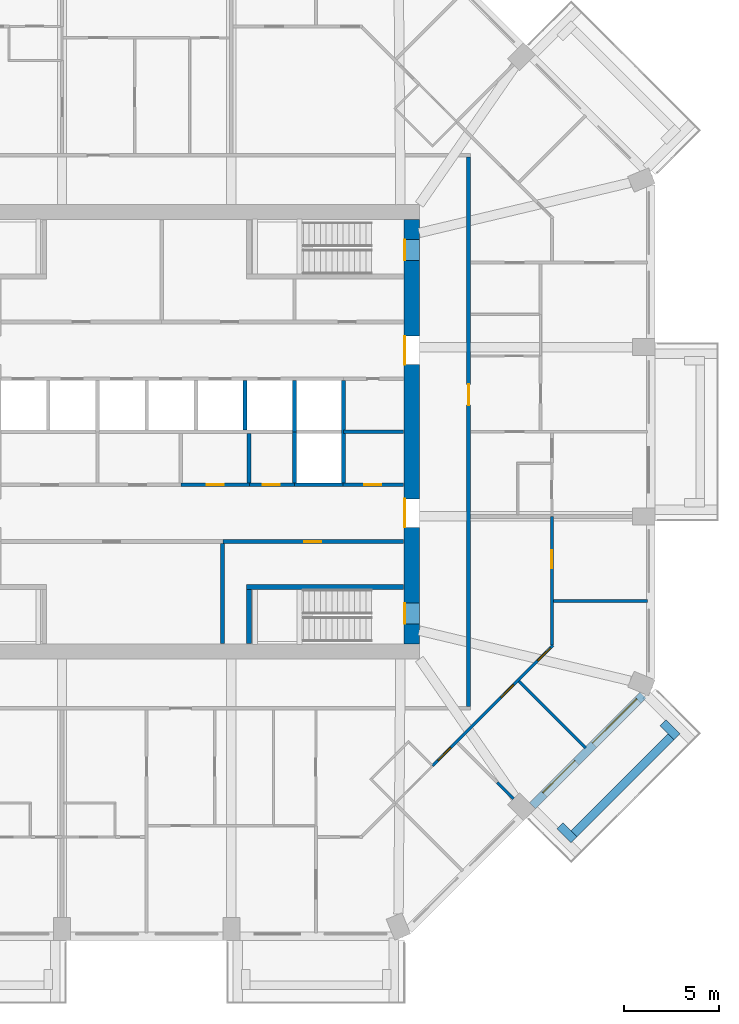
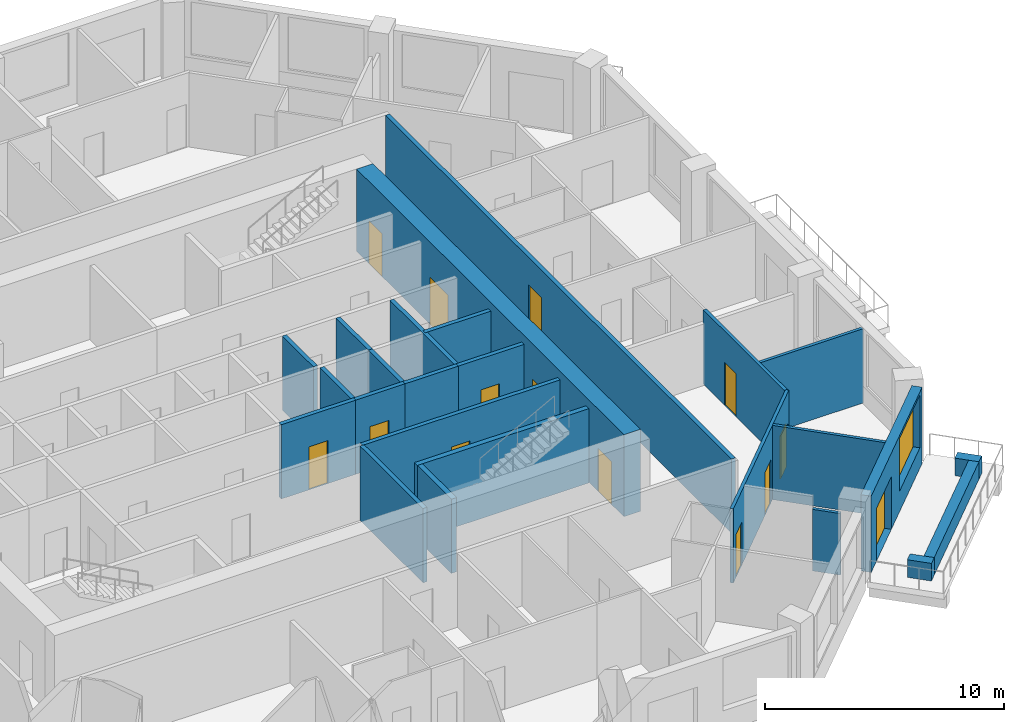
# One storey, part 6 of 13: 25 walls, 14 doors, 1 window, 15 openings.
"""IFC4 building model written with IfcOpenShell, lengths in metres."""

from ifc_helpers import new_model, si_unit, direction, frame, frame_2d, origin, place, context, subcontext, project, spatial, rectangle, extrude, material, layer, layer_set, type_object, element, fill, save


model = new_model("IFC4")

# Units and contexts
model_context = context("Model", 3, precision=1e-05, world=origin(), true_north=direction((0.0, 1.0)))
body_context = subcontext(model_context, "Body", "Model", "MODEL_VIEW")
ifc_project = project(units=[si_unit("LENGTHUNIT", "METRE"), si_unit("AREAUNIT", "SQUARE_METRE"), si_unit("VOLUMEUNIT", "CUBIC_METRE"), si_unit("PLANEANGLEUNIT", "RADIAN"), si_unit("MASSUNIT", "GRAM", prefix="KILO")], contexts=[model_context])

# Site, building, storey
site_placement = place(None, origin())
site = spatial("IfcSite", under=ifc_project, at=site_placement, CompositionType="ELEMENT")
building_placement = place(site_placement, origin())
building = spatial("IfcBuilding", under=site, at=building_placement, Name="Msitu Wima Residences", CompositionType="ELEMENT")
storey_placement = place(building_placement, frame((0.0, 0.0, 148.5)))
storey = spatial("IfcBuildingStorey", under=building, at=storey_placement, Name="L34", CompositionType="ELEMENT", Elevation=148.5)

# Walls
ifc_material_1 = material(Name="Facing brick")
ifc_layer_1 = layer(ifc_material_1, 0.06494140625, Name="Facing brick")
ifc_material_2 = material(Name="Concrete C40/50", Category="concrete")
ifc_layer_2 = layer(ifc_material_2, 0.156005859375, Name="Concrete C40/50")
ifc_material_3 = material(Name="Waterproofing membrane")
ifc_layer_3 = layer(ifc_material_3, 0.00390625, Name="Waterproofing membrane")
ifc_material_4 = material(Name="Planting soil and planting")
ifc_layer_4 = layer(ifc_material_4, 0.22509765625, Name="Planting soil and planting")
ifc_layer_set_1 = layer_set([ifc_layer_1, ifc_layer_2, ifc_layer_3, ifc_layer_4], Name="Concrete C40/50")
wall_type_1 = type_object("IfcWallType", Name="Balcony planter PLANTER PL450", PredefinedType="USERDEFINED", material=ifc_layer_set_1)
wall_1_placement = place(storey_placement, frame((22.572265625, -21.228759765625, 0.0), z_axis=(0.0, 0.0, 1.0), x_axis=(0.707106781187, 0.707106781187, 0.0)))
element("IfcWall", 1, at=wall_1_placement, inside=storey, type_object=wall_type_1, Name="Balcony planter SE1 L34", ObjectType="PLANTER", PredefinedType="USERDEFINED", context=body_context, shape_type="SweptSolid", body=[
    extrude(rectangle(XDim=7.23828125, YDim=0.449951171875, at=frame_2d((3.619140625, 0.0))), origin(), (0.0, 0.0, 1.0), 0.89990234375),
])
for number, where, z_axis, x_axis, name in (
    (2, (21.829833984375, -20.804443359375, 0.0), (0.0, 0.0, 1.0), (0.707106781187, -0.707106781187, 0.0), "Balcony planter SE1 L34"),
    (3, (27.26611328125, -15.3681640625, 0.0), (0.0, 0.0, 1.0), (0.707223014731, -0.706990528533, 0.0), "Balcony planter SE1 L34"),
):
    element("IfcWall", number, at=place(storey_placement, frame(where, z_axis=z_axis, x_axis=x_axis)), inside=storey, type_object=wall_type_1, Name=name, ObjectType="PLANTER", PredefinedType="USERDEFINED", context=body_context, shape_type="SweptSolid", body=[
        extrude(rectangle(XDim=1.050048828125, YDim=0.449951171875, at=frame_2d((0.52490234375, 0.0))), origin(), (0.0, 0.0, 1.0), 0.89990234375),
    ])

# Wall, openings, door, window
ifc_material_5 = material(Name="Brick (red buff mix)", Category="masonry")
ifc_layer_5 = layer(ifc_material_5, 0.449951171875)
ifc_layer_set_2 = layer_set([ifc_layer_5], Name="Brick (red buff mix)")
wall_type_2 = type_object("IfcWallType", Name="Brick infill wall BW450", PredefinedType="SOLIDWALL", material=ifc_layer_set_2)
wall_2_placement = place(storey_placement, frame((20.380126953125, -19.743896484375, 0.0), z_axis=(0.0, 0.0, 1.0), x_axis=(0.707106781187, 0.707106781187, 0.0)))
wall_2 = element("IfcWall", 4, at=wall_2_placement, inside=storey, type_object=wall_type_2, Name="Brick infill wall L34 SE1", PredefinedType="SOLIDWALL", context=body_context, shape_type="SweptSolid", body=[
    extrude(rectangle(XDim=8.251220703125, YDim=0.449951171875, at=frame_2d((4.12548828125, 0.0))), origin(), (0.0, 0.0, 1.0), 3.89990234375),
])
opening_1_placement = place(wall_2_placement, frame((0.86279296875, 0.0, 0.0)))
opening_1 = element("IfcOpeningElement", 5, at=opening_1_placement, cuts=wall_2, Name="Opening D34-35.008", PredefinedType="OPENING", context=body_context, shape_type="SweptSolid", body=[
    extrude(rectangle(XDim=2.39990234375, YDim=2.699951171875, at=frame_2d((1.199951171875, 1.35009765625))), frame((0.0, 0.23486328125, 0.0), z_axis=(0.0, -1.0, 0.0), x_axis=(1.0, 0.0, 0.0)), (0.0, 0.0, 1.0), 0.469970703125),
])
opening_2_placement = place(wall_2_placement, frame((4.57568359375, 0.0, 1.050048828125)))
opening_2 = element("IfcOpeningElement", 6, at=opening_2_placement, cuts=wall_2, Name="Opening W34-35.022", PredefinedType="OPENING", context=body_context, shape_type="SweptSolid", body=[
    extrude(rectangle(XDim=3.300048828125, YDim=2.699951171875, at=frame_2d((1.64990234375, 1.35009765625))), frame((0.0, 0.23486328125, 0.0), z_axis=(0.0, -1.0, 0.0), x_axis=(1.0, 0.0, 0.0)), (0.0, 0.0, 1.0), 0.469970703125),
])
ifc_material_6 = material(Name="Anodised aluminium, bronze finish, clear low-emissivity double glazing", Category="aluminium")
door_type_1 = type_object("IfcDoorType", Name="Balcony door D2400x2700", OperationType="SLIDING_TO_LEFT", PredefinedType="DOOR", material=ifc_material_6)
door_1_placement = place(opening_1_placement, origin())
door_1 = element("IfcDoor", 7, at=door_1_placement, inside=storey, type_object=door_type_1, Name="Balcony door L34 SE1", OperationType="SINGLE_SWING_LEFT", OverallHeight=2.699951171875, OverallWidth=2.39990234375, PredefinedType="DOOR", context=body_context, shape_type="SweptSolid", body=[
    extrude(rectangle(XDim=2.39990234375, YDim=2.699951171875, at=frame_2d((1.199951171875, 1.35009765625))), frame((0.0, 0.1298828125, 0.0), z_axis=(0.0, -1.0, 0.0), x_axis=(1.0, 0.0, 0.0)), (0.0, 0.0, 1.0), 0.050048828125),
])
fill(opening_1, door_1)
window_type = type_object("IfcWindowType", Name="Window W3300x2700", PartitioningType="DOUBLE_PANEL_VERTICAL", PredefinedType="WINDOW", material=ifc_material_6)
window_placement = place(opening_2_placement, origin())
window = element("IfcWindow", 8, at=window_placement, inside=storey, type_object=window_type, Name="Window L34 SE1.2", OverallHeight=2.699951171875, OverallWidth=3.300048828125, PartitioningType="SINGLE_PANEL", PredefinedType="WINDOW", context=body_context, shape_type="SweptSolid", body=[
    extrude(rectangle(XDim=3.300048828125, YDim=2.699951171875, at=frame_2d((1.64990234375, 1.35009765625))), frame((0.0, 0.135009765625, 0.0), z_axis=(0.0, -1.0, 0.0), x_axis=(1.0, 0.0, 0.0)), (0.0, 0.0, 1.0), 0.06005859375),
])
fill(opening_2, window)

# Wall, openings, doors
ifc_material_7 = material(Name="Concrete C70/85", Category="concrete")
ifc_layer_6 = layer(ifc_material_7, 0.800048828125)
ifc_layer_set_3 = layer_set([ifc_layer_6], Name="Concrete C70/85")
wall_type_3 = type_object("IfcWallType", Name="Core wall CW800 C70/85", PredefinedType="SHEAR", material=ifc_layer_set_3)
wall_3_placement = place(storey_placement, frame((14.0, -11.199951171875, 0.0), z_axis=(0.0, 0.0, 1.0), x_axis=(0.0, 1.0, 0.0)))
wall_3 = element("IfcWall", 9, at=wall_3_placement, inside=storey, type_object=wall_type_3, Name="Core wall", PredefinedType="SHEAR", context=body_context, shape_type="SweptSolid", body=[
    extrude(rectangle(XDim=22.39990234375, YDim=0.800048828125, at=frame_2d((11.199951171875, 0.0))), origin(), (0.0, 0.0, 1.0), 4.199951171875),
])
opening_3_placement = place(wall_3_placement, frame((20.25, 0.0, 0.0)))
opening_3 = element("IfcOpeningElement", 10, at=opening_3_placement, cuts=wall_3, Name="Opening D34-35.037", PredefinedType="OPENING", context=body_context, shape_type="SweptSolid", body=[
    extrude(rectangle(XDim=1.10009765625, YDim=2.199951171875, at=frame_2d((0.550048828125, 1.10009765625))), frame((0.0, 0.409912109375, 0.0), z_axis=(0.0, -1.0, 0.0), x_axis=(1.0, 0.0, 0.0)), (0.0, 0.0, 1.0), 0.820068359375),
])
opening_4_placement = place(wall_3_placement, frame((1.050048828125, 0.0, 0.0)))
opening_4 = element("IfcOpeningElement", 11, at=opening_4_placement, cuts=wall_3, Name="Opening D34-35.038", PredefinedType="OPENING", context=body_context, shape_type="SweptSolid", body=[
    extrude(rectangle(XDim=1.10009765625, YDim=2.199951171875, at=frame_2d((0.550048828125, 1.10009765625))), frame((0.0, 0.409912109375, 0.0), z_axis=(0.0, -1.0, 0.0), x_axis=(1.0, 0.0, 0.0)), (0.0, 0.0, 1.0), 0.820068359375),
])
opening_5_placement = place(wall_3_placement, frame((14.75, 0.0, 0.0)))
opening_5 = element("IfcOpeningElement", 12, at=opening_5_placement, cuts=wall_3, Name="Opening D34-35.025", PredefinedType="OPENING", context=body_context, shape_type="SweptSolid", body=[
    extrude(rectangle(XDim=1.5, YDim=2.39990234375, at=frame_2d((0.75, 1.199951171875))), frame((0.0, 0.409912109375, 0.0), z_axis=(0.0, -1.0, 0.0), x_axis=(1.0, 0.0, 0.0)), (0.0, 0.0, 1.0), 0.820068359375),
])
opening_6_placement = place(wall_3_placement, frame((6.14990234375, 0.0, 0.0)))
opening_6 = element("IfcOpeningElement", 13, at=opening_6_placement, cuts=wall_3, Name="Opening D34-35.026", PredefinedType="OPENING", context=body_context, shape_type="SweptSolid", body=[
    extrude(rectangle(XDim=1.5, YDim=2.39990234375, at=frame_2d((0.75, 1.199951171875))), frame((0.0, 0.409912109375, 0.0), z_axis=(0.0, -1.0, 0.0), x_axis=(1.0, 0.0, 0.0)), (0.0, 0.0, 1.0), 0.820068359375),
])
ifc_material_8 = material(Name="Steel framed glazed door, fire resisting", Category="steel")
door_type_2 = type_object("IfcDoorType", Name="Lobby door D07 1500x2400", OperationType="DOUBLE_DOOR_SINGLE_SWING", PredefinedType="DOOR", material=ifc_material_8)
door_2_placement = place(opening_5_placement, origin())
door_2 = element("IfcDoor", 14, at=door_2_placement, inside=storey, type_object=door_type_2, Name="Lobby door", OperationType="DOUBLE_DOOR_SINGLE_SWING", OverallHeight=2.39990234375, OverallWidth=1.5, PredefinedType="DOOR", context=body_context, shape_type="SweptSolid", body=[
    extrude(rectangle(XDim=1.5, YDim=2.39990234375, at=frame_2d((0.75, 1.199951171875))), frame((0.0, 0.39501953125, 0.0), z_axis=(0.0, -1.0, 0.0), x_axis=(1.0, 0.0, 0.0)), (0.0, 0.0, 1.0), 0.050048828125),
])
fill(opening_5, door_2)
door_3_placement = place(opening_6_placement, origin())
door_3 = element("IfcDoor", 15, at=door_3_placement, inside=storey, type_object=door_type_2, Name="Lobby door", OperationType="DOUBLE_DOOR_SINGLE_SWING", OverallHeight=2.39990234375, OverallWidth=1.5, PredefinedType="DOOR", context=body_context, shape_type="SweptSolid", body=[
    extrude(rectangle(XDim=1.5, YDim=2.39990234375, at=frame_2d((0.75, 1.199951171875))), frame((0.0, 0.39501953125, 0.0), z_axis=(0.0, -1.0, 0.0), x_axis=(1.0, 0.0, 0.0)), (0.0, 0.0, 1.0), 0.050048828125),
])
fill(opening_6, door_3)
ifc_material_9 = material(Name="Steel door, fire resisting, panic bar", Category="steel")
door_type_3 = type_object("IfcDoorType", Name="Stair door D06 1100x2200", OperationType="SINGLE_SWING_LEFT", PredefinedType="DOOR", material=ifc_material_9)
door_4_placement = place(opening_3_placement, origin())
door_4 = element("IfcDoor", 16, at=door_4_placement, inside=storey, type_object=door_type_3, Name="Stair door", OperationType="SINGLE_SWING_LEFT", OverallHeight=2.199951171875, OverallWidth=1.10009765625, PredefinedType="DOOR", context=body_context, shape_type="SweptSolid", body=[
    extrude(rectangle(XDim=1.10009765625, YDim=2.199951171875, at=frame_2d((0.550048828125, 1.10009765625))), frame((0.0, 0.39501953125, 0.0), z_axis=(0.0, -1.0, 0.0), x_axis=(1.0, 0.0, 0.0)), (0.0, 0.0, 1.0), 0.050048828125),
])
fill(opening_3, door_4)
door_5_placement = place(opening_4_placement, origin())
door_5 = element("IfcDoor", 17, at=door_5_placement, inside=storey, type_object=door_type_3, Name="Stair door", OperationType="SINGLE_SWING_RIGHT", OverallHeight=2.199951171875, OverallWidth=1.10009765625, PredefinedType="DOOR", context=body_context, shape_type="SweptSolid", body=[
    extrude(rectangle(XDim=1.10009765625, YDim=2.199951171875, at=frame_2d((0.550048828125, 1.10009765625))), frame((0.0, 0.39501953125, 0.0), z_axis=(0.0, -1.0, 0.0), x_axis=(1.0, 0.0, 0.0)), (0.0, 0.0, 1.0), 0.050048828125),
])
fill(opening_4, door_5)

# Wall, opening, door
ifc_material_10 = material(Name="Plaster")
ifc_layer_7 = layer(ifc_material_10, 0.011962890625, Name="Plaster")
ifc_material_11 = material(Name="Concrete blockwork", Category="masonry")
ifc_layer_8 = layer(ifc_material_11, 0.176025390625, Name="Concrete blockwork")
ifc_layer_9 = layer(ifc_material_10, 0.011962890625, Name="Plaster")
ifc_layer_set_4 = layer_set([ifc_layer_7, ifc_layer_8, ifc_layer_9], Name="Concrete blockwork")
wall_type_4 = type_object("IfcWallType", Name="Corridor wall FW200", PredefinedType="PARTITIONING", material=ifc_layer_set_4)
wall_4_placement = place(storey_placement, frame((4.02001953125, -5.800048828125, 0.0), z_axis=(0.0, 0.0, 1.0), x_axis=(1.0, 0.0, 0.0)))
wall_4 = element("IfcWall", 18, at=wall_4_placement, inside=storey, type_object=wall_type_4, Name="Corridor wall", PredefinedType="PARTITIONING", context=body_context, shape_type="SweptSolid", body=[
    extrude(rectangle(XDim=9.550048828125, YDim=0.199951171875, at=frame_2d((4.77490234375, 0.0))), origin(), (0.0, 0.0, 1.0), 3.798095703125),
])
opening_7_placement = place(wall_4_placement, frame((4.300048828125, 0.0, 0.0)))
opening_7 = element("IfcOpeningElement", 19, at=opening_7_placement, cuts=wall_4, Name="Opening D34-35.024", PredefinedType="OPENING", context=body_context, shape_type="SweptSolid", body=[
    extrude(rectangle(XDim=0.89990234375, YDim=2.199951171875, at=frame_2d((0.449951171875, 1.10009765625))), frame((0.0, 0.10986328125, 0.0), z_axis=(0.0, -1.0, 0.0), x_axis=(1.0, 0.0, 0.0)), (0.0, 0.0, 1.0), 0.219970703125),
])
ifc_material_12 = material(Name="Timber flush door", Category="wood")
door_type_4 = type_object("IfcDoorType", Name="Service door D05 900x2200", OperationType="SINGLE_SWING_LEFT", PredefinedType="DOOR", material=ifc_material_12)
door_6_placement = place(opening_7_placement, origin())
door_6 = element("IfcDoor", 20, at=door_6_placement, inside=storey, type_object=door_type_4, Name="Service door", OperationType="SINGLE_SWING_RIGHT", OverallHeight=2.199951171875, OverallWidth=0.89990234375, PredefinedType="DOOR", context=body_context, shape_type="SweptSolid", body=[
    extrude(rectangle(XDim=0.89990234375, YDim=2.199951171875, at=frame_2d((0.449951171875, 1.10009765625))), frame((0.0, 0.02490234375, 0.0), z_axis=(0.0, -1.0, 0.0), x_axis=(1.0, 0.0, 0.0)), (0.0, 0.0, 1.0), 0.050048828125),
])
fill(opening_7, door_6)

wall_5_placement = place(storey_placement, frame((5.419921875, -2.800048828125, 0.0), z_axis=(0.0, 0.0, 1.0), x_axis=(1.0, 0.0, 0.0)))
wall_5 = element("IfcWall", 21, at=wall_5_placement, inside=storey, type_object=wall_type_4, Name="Corridor wall", PredefinedType="PARTITIONING", context=body_context, shape_type="SweptSolid", body=[
    extrude(rectangle(XDim=2.380126953125, YDim=0.199951171875, at=frame_2d((1.18994140625, 0.0))), origin(), (0.0, 0.0, 1.0), 3.798095703125),
])
opening_8_placement = place(wall_5_placement, frame((0.699951171875, 0.0, 0.0)))
opening_8 = element("IfcOpeningElement", 22, at=opening_8_placement, cuts=wall_5, Name="Opening D34-35.032", PredefinedType="OPENING", context=body_context, shape_type="SweptSolid", body=[
    extrude(rectangle(XDim=0.89990234375, YDim=2.199951171875, at=frame_2d((0.449951171875, 1.10009765625))), frame((0.0, 0.10986328125, 0.0), z_axis=(0.0, -1.0, 0.0), x_axis=(1.0, 0.0, 0.0)), (0.0, 0.0, 1.0), 0.219970703125),
])
door_7_placement = place(opening_8_placement, origin())
door_7 = element("IfcDoor", 23, at=door_7_placement, inside=storey, type_object=door_type_4, Name="Service door", OperationType="SINGLE_SWING_LEFT", OverallHeight=2.199951171875, OverallWidth=0.89990234375, PredefinedType="DOOR", context=body_context, shape_type="SweptSolid", body=[
    extrude(rectangle(XDim=0.89990234375, YDim=2.199951171875, at=frame_2d((0.449951171875, 1.10009765625))), frame((0.0, 0.02490234375, 0.0), z_axis=(0.0, -1.0, 0.0), x_axis=(1.0, 0.0, 0.0)), (0.0, 0.0, 1.0), 0.050048828125),
])
fill(opening_8, door_7)

wall_6_placement = place(storey_placement, frame((17.0, -14.5, 0.0), z_axis=(0.0, 0.0, 1.0), x_axis=(0.0, 1.0, 0.0)))
wall_6 = element("IfcWall", 24, at=wall_6_placement, inside=storey, type_object=wall_type_4, Name="Corridor wall", PredefinedType="PARTITIONING", context=body_context, shape_type="SweptSolid", body=[
    extrude(rectangle(XDim=29.0, YDim=0.199951171875, at=frame_2d((14.5, 0.0))), origin(), (0.0, 0.0, 1.0), 3.798095703125),
])
opening_9_placement = place(wall_6_placement, frame((15.89990234375, 0.0, 0.0)))
opening_9 = element("IfcOpeningElement", 25, at=opening_9_placement, cuts=wall_6, Name="Opening D34-35.011", PredefinedType="OPENING", context=body_context, shape_type="SweptSolid", body=[
    extrude(rectangle(XDim=1.10009765625, YDim=2.39990234375, at=frame_2d((0.550048828125, 1.199951171875))), frame((0.0, 0.10986328125, 0.0), z_axis=(0.0, -1.0, 0.0), x_axis=(1.0, 0.0, 0.0)), (0.0, 0.0, 1.0), 0.219970703125),
])
ifc_material_13 = material(Name="Timber flush door, fire resisting, self-closing", Category="wood")
door_type_5 = type_object("IfcDoorType", Name="Flat entrance door D01 1100x2400", OperationType="SINGLE_SWING_LEFT", PredefinedType="DOOR", material=ifc_material_13)
door_8_placement = place(opening_9_placement, origin())
door_8 = element("IfcDoor", 26, at=door_8_placement, inside=storey, type_object=door_type_5, Name="Flat entrance door", OperationType="SINGLE_SWING_RIGHT", OverallHeight=2.39990234375, OverallWidth=1.10009765625, PredefinedType="DOOR", context=body_context, shape_type="SweptSolid", body=[
    extrude(rectangle(XDim=1.10009765625, YDim=2.39990234375, at=frame_2d((0.550048828125, 1.199951171875))), frame((0.0, 0.02490234375, 0.0), z_axis=(0.0, -1.0, 0.0), x_axis=(1.0, 0.0, 0.0)), (0.0, 0.0, 1.0), 0.050048828125),
])
fill(opening_9, door_8)

# Wall, openings, doors
ifc_layer_10 = layer(ifc_material_10, 0.011962890625, Name="Plaster")
ifc_layer_11 = layer(ifc_material_11, 0.1259765625, Name="Concrete blockwork")
ifc_layer_12 = layer(ifc_material_10, 0.011962890625, Name="Plaster")
ifc_layer_set_5 = layer_set([ifc_layer_10, ifc_layer_11, ifc_layer_12], Name="Concrete blockwork")
wall_type_5 = type_object("IfcWallType", Name="Partition PW150", PredefinedType="PARTITIONING", material=ifc_layer_set_5)
wall_7_placement = place(storey_placement, frame((15.098876953125, -17.635986328125, 0.0), z_axis=(0.0, 0.0, 1.0), x_axis=(0.707106781187, 0.707106781187, 0.0)))
wall_7 = element("IfcWall", 27, at=wall_7_placement, inside=storey, type_object=wall_type_5, Name="Partition", PredefinedType="PARTITIONING", context=body_context, shape_type="SweptSolid", body=[
    extrude(rectangle(XDim=8.986328125, YDim=0.14990234375, at=frame_2d((4.4931640625, 0.0))), origin(), (0.0, 0.0, 1.0), 3.798095703125),
])
opening_10_placement = place(wall_7_placement, frame((0.39990234375, 0.0, 0.0)))
opening_10 = element("IfcOpeningElement", 28, at=opening_10_placement, cuts=wall_7, Name="Opening D34-35.080", PredefinedType="OPENING", context=body_context, shape_type="SweptSolid", body=[
    extrude(rectangle(XDim=0.949951171875, YDim=2.199951171875, at=frame_2d((0.47509765625, 1.10009765625))), frame((0.0, 0.0849609375, 0.0), z_axis=(0.0, -1.0, 0.0), x_axis=(1.0, 0.0, 0.0)), (0.0, 0.0, 1.0), 0.169921875),
])
opening_11_placement = place(wall_7_placement, frame((5.10009765625, 0.0, 0.0)))
opening_11 = element("IfcOpeningElement", 29, at=opening_11_placement, cuts=wall_7, Name="Opening D34-35.082", PredefinedType="OPENING", context=body_context, shape_type="SweptSolid", body=[
    extrude(rectangle(XDim=0.949951171875, YDim=2.199951171875, at=frame_2d((0.47509765625, 1.10009765625))), frame((0.0, 0.0849609375, 0.0), z_axis=(0.0, -1.0, 0.0), x_axis=(1.0, 0.0, 0.0)), (0.0, 0.0, 1.0), 0.169921875),
])
opening_12_placement = place(wall_7_placement, frame((7.85009765625, 0.0, 0.0)))
opening_12 = element("IfcOpeningElement", 30, at=opening_12_placement, cuts=wall_7, Name="Opening D34-35.085", PredefinedType="OPENING", context=body_context, shape_type="SweptSolid", body=[
    extrude(rectangle(XDim=0.949951171875, YDim=2.199951171875, at=frame_2d((0.47509765625, 1.10009765625))), frame((0.0, 0.0849609375, 0.0), z_axis=(0.0, -1.0, 0.0), x_axis=(1.0, 0.0, 0.0)), (0.0, 0.0, 1.0), 0.169921875),
])
door_type_6 = type_object("IfcDoorType", Name="Room door D12 950x2200", OperationType="SINGLE_SWING_LEFT", PredefinedType="DOOR", material=ifc_material_12)
door_9_placement = place(opening_10_placement, origin())
door_9 = element("IfcDoor", 31, at=door_9_placement, inside=storey, type_object=door_type_6, Name="Room door", OperationType="SINGLE_SWING_LEFT", OverallHeight=2.199951171875, OverallWidth=0.949951171875, PredefinedType="DOOR", context=body_context, shape_type="SweptSolid", body=[
    extrude(rectangle(XDim=0.949951171875, YDim=2.199951171875, at=frame_2d((0.47509765625, 1.10009765625))), frame((0.0, 0.02490234375, 0.0), z_axis=(0.0, -1.0, 0.0), x_axis=(1.0, 0.0, 0.0)), (0.0, 0.0, 1.0), 0.050048828125),
])
fill(opening_10, door_9)
door_10_placement = place(opening_11_placement, origin())
door_10 = element("IfcDoor", 32, at=door_10_placement, inside=storey, type_object=door_type_6, Name="Room door", OperationType="SINGLE_SWING_LEFT", OverallHeight=2.199951171875, OverallWidth=0.949951171875, PredefinedType="DOOR", context=body_context, shape_type="SweptSolid", body=[
    extrude(rectangle(XDim=0.949951171875, YDim=2.199951171875, at=frame_2d((0.47509765625, 1.10009765625))), frame((0.0, 0.02490234375, 0.0), z_axis=(0.0, -1.0, 0.0), x_axis=(1.0, 0.0, 0.0)), (0.0, 0.0, 1.0), 0.050048828125),
])
fill(opening_11, door_10)
door_11_placement = place(opening_12_placement, origin())
door_11 = element("IfcDoor", 33, at=door_11_placement, inside=storey, type_object=door_type_6, Name="Room door", OperationType="SINGLE_SWING_RIGHT", OverallHeight=2.199951171875, OverallWidth=0.949951171875, PredefinedType="DOOR", context=body_context, shape_type="SweptSolid", body=[
    extrude(rectangle(XDim=0.949951171875, YDim=2.199951171875, at=frame_2d((0.47509765625, 1.10009765625))), frame((0.0, 0.02490234375, 0.0), z_axis=(0.0, -1.0, 0.0), x_axis=(1.0, 0.0, 0.0)), (0.0, 0.0, 1.0), 0.050048828125),
])
fill(opening_12, door_11)

# Walls
wall_8_placement = place(storey_placement, frame((18.517578125, -18.517578125, 0.0), z_axis=(0.0, 0.0, 1.0), x_axis=(0.707106781187, -0.707106781187, 0.0)))
element("IfcWall", 34, at=wall_8_placement, inside=storey, type_object=wall_type_5, Name="Partition", PredefinedType="PARTITIONING", context=body_context, shape_type="SweptSolid", body=[
    extrude(rectangle(XDim=1.209228515625, YDim=0.14990234375, at=frame_2d((0.6044921875, 0.0))), origin(), (0.0, 0.0, 1.0), 3.14990234375),
])
wall_9_placement = place(storey_placement, frame((19.6689453125, -13.171875, 0.0), z_axis=(0.0, 0.0, 1.0), x_axis=(0.707106781187, -0.707106781187, 0.0)))
element("IfcWall", 35, at=wall_9_placement, inside=storey, type_object=wall_type_5, Name="Partition", PredefinedType="PARTITIONING", context=body_context, shape_type="SweptSolid", body=[
    extrude(rectangle(XDim=4.980224609375, YDim=0.14990234375, at=frame_2d((2.490234375, 0.0))), origin(), (0.0, 0.0, 1.0), 3.798095703125),
])

# Wall, opening, door
wall_10_placement = place(storey_placement, frame((21.39990234375, -11.259765625, 0.0), z_axis=(0.0, 0.0, 1.0), x_axis=(0.0, 1.0, 0.0)))
wall_10 = element("IfcWall", 36, at=wall_10_placement, inside=storey, type_object=wall_type_5, Name="Partition", PredefinedType="PARTITIONING", context=body_context, shape_type="SweptSolid", body=[
    extrude(rectangle(XDim=6.791015625, YDim=0.14990234375, at=frame_2d((3.3955078125, 0.0))), origin(), (0.0, 0.0, 1.0), 3.798095703125),
])
opening_13_placement = place(wall_10_placement, frame((4.050048828125, 0.0, 0.0)))
opening_13 = element("IfcOpeningElement", 37, at=opening_13_placement, cuts=wall_10, Name="Opening D34-35.079", PredefinedType="OPENING", context=body_context, shape_type="SweptSolid", body=[
    extrude(rectangle(XDim=0.949951171875, YDim=2.199951171875, at=frame_2d((0.47509765625, 1.10009765625))), frame((0.0, 0.0849609375, 0.0), z_axis=(0.0, -1.0, 0.0), x_axis=(1.0, 0.0, 0.0)), (0.0, 0.0, 1.0), 0.169921875),
])
door_12_placement = place(opening_13_placement, origin())
door_12 = element("IfcDoor", 38, at=door_12_placement, inside=storey, type_object=door_type_6, Name="Room door", OperationType="SINGLE_SWING_RIGHT", OverallHeight=2.199951171875, OverallWidth=0.949951171875, PredefinedType="DOOR", context=body_context, shape_type="SweptSolid", body=[
    extrude(rectangle(XDim=0.949951171875, YDim=2.199951171875, at=frame_2d((0.47509765625, 1.10009765625))), frame((0.0, 0.02490234375, 0.0), z_axis=(0.0, -1.0, 0.0), x_axis=(1.0, 0.0, 0.0)), (0.0, 0.0, 1.0), 0.050048828125),
])
fill(opening_13, door_12)

# Wall
wall_11_placement = place(storey_placement, frame((21.47509765625, -8.937255859375, 0.0), z_axis=(0.0, 0.0, 1.0), x_axis=(1.0, 0.0, 0.0)))
element("IfcWall", 39, at=wall_11_placement, inside=storey, type_object=wall_type_5, Name="Partition", PredefinedType="PARTITIONING", context=body_context, shape_type="SweptSolid", body=[
    extrude(rectangle(XDim=4.97998046875, YDim=0.14990234375, at=frame_2d((2.489990234375, 0.0))), origin(), (0.0, 0.0, 1.0), 3.798095703125),
])

# Wall, opening, door
ifc_layer_13 = layer(ifc_material_10, 0.011962890625, Name="Plaster")
ifc_material_14 = material(Name="Reinforced concrete blockwork", Category="masonry")
ifc_layer_14 = layer(ifc_material_14, 0.176025390625, Name="Reinforced concrete blockwork")
ifc_layer_15 = layer(ifc_material_10, 0.011962890625, Name="Plaster")
ifc_layer_set_6 = layer_set([ifc_layer_13, ifc_layer_14, ifc_layer_15], Name="Reinforced concrete blockwork")
wall_type_6 = type_object("IfcWallType", Name="Plant and riser wall PL200", PredefinedType="PARTITIONING", material=ifc_layer_set_6)
wall_12_placement = place(storey_placement, frame((1.820068359375, -2.800048828125, 0.0), z_axis=(0.0, 0.0, 1.0), x_axis=(1.0, 0.0, 0.0)))
wall_12 = element("IfcWall", 40, at=wall_12_placement, inside=storey, type_object=wall_type_6, Name="Plant and riser wall", PredefinedType="PARTITIONING", context=body_context, shape_type="SweptSolid", body=[
    extrude(rectangle(XDim=3.599853515625, YDim=0.199951171875, at=frame_2d((1.7998046875, 0.0))), origin(), (0.0, 0.0, 1.0), 3.798095703125),
])
opening_14_placement = place(wall_12_placement, frame((1.35009765625, 0.0, 0.0)))
opening_14 = element("IfcOpeningElement", 41, at=opening_14_placement, cuts=wall_12, Name="Opening D34-35.031", PredefinedType="OPENING", context=body_context, shape_type="SweptSolid", body=[
    extrude(rectangle(XDim=0.89990234375, YDim=2.199951171875, at=frame_2d((0.449951171875, 1.10009765625))), frame((0.0, 0.10986328125, 0.0), z_axis=(0.0, -1.0, 0.0), x_axis=(1.0, 0.0, 0.0)), (0.0, 0.0, 1.0), 0.219970703125),
])
door_13_placement = place(opening_14_placement, origin())
door_13 = element("IfcDoor", 42, at=door_13_placement, inside=storey, type_object=door_type_4, Name="Service door", OperationType="SINGLE_SWING_RIGHT", OverallHeight=2.199951171875, OverallWidth=0.89990234375, PredefinedType="DOOR", context=body_context, shape_type="SweptSolid", body=[
    extrude(rectangle(XDim=0.89990234375, YDim=2.199951171875, at=frame_2d((0.449951171875, 1.10009765625))), frame((0.0, 0.02490234375, 0.0), z_axis=(0.0, -1.0, 0.0), x_axis=(1.0, 0.0, 0.0)), (0.0, 0.0, 1.0), 0.050048828125),
])
fill(opening_14, door_13)

# Walls
wall_13_placement = place(storey_placement, frame((4.0, -11.169921875, 0.0), z_axis=(0.0, 0.0, 1.0), x_axis=(0.0, 1.0, 0.0)))
element("IfcWall", 43, at=wall_13_placement, inside=storey, type_object=wall_type_6, Name="Plant and riser wall", PredefinedType="PARTITIONING", context=body_context, shape_type="SweptSolid", body=[
    extrude(rectangle(XDim=5.27001953125, YDim=0.199951171875, at=frame_2d((2.635009765625, 0.0))), origin(), (0.0, 0.0, 1.0), 3.798095703125),
])
wall_14_placement = place(storey_placement, frame((5.39990234375, -2.699951171875, 0.0), z_axis=(0.0, 0.0, 1.0), x_axis=(0.0, 1.0, 0.0)))
element("IfcWall", 44, at=wall_14_placement, inside=storey, type_object=wall_type_6, Name="Plant and riser wall", PredefinedType="PARTITIONING", context=body_context, shape_type="SweptSolid", body=[
    extrude(rectangle(XDim=2.599853515625, YDim=0.199951171875, at=frame_2d((1.2998046875, 0.0))), origin(), (0.0, 0.0, 1.0), 3.798095703125),
])

# Wall, opening, door
wall_15_placement = place(storey_placement, frame((10.3798828125, -2.800048828125, 0.0), z_axis=(0.0, 0.0, 1.0), x_axis=(1.0, 0.0, 0.0)))
wall_15 = element("IfcWall", 45, at=wall_15_placement, inside=storey, type_object=wall_type_6, Name="Plant and riser wall", PredefinedType="PARTITIONING", context=body_context, shape_type="SweptSolid", body=[
    extrude(rectangle(XDim=3.190185546875, YDim=0.199951171875, at=frame_2d((1.59521484375, 0.0))), origin(), (0.0, 0.0, 1.0), 3.798095703125),
])
opening_15_placement = place(wall_15_placement, frame((1.10009765625, 0.0, 0.0)))
opening_15 = element("IfcOpeningElement", 46, at=opening_15_placement, cuts=wall_15, Name="Opening D34-35.015", PredefinedType="OPENING", context=body_context, shape_type="SweptSolid", body=[
    extrude(rectangle(XDim=0.89990234375, YDim=2.199951171875, at=frame_2d((0.449951171875, 1.10009765625))), frame((0.0, 0.10986328125, 0.0), z_axis=(0.0, -1.0, 0.0), x_axis=(1.0, 0.0, 0.0)), (0.0, 0.0, 1.0), 0.219970703125),
])
door_14_placement = place(opening_15_placement, origin())
door_14 = element("IfcDoor", 47, at=door_14_placement, inside=storey, type_object=door_type_4, Name="Service door", OperationType="SINGLE_SWING_LEFT", OverallHeight=2.199951171875, OverallWidth=0.89990234375, PredefinedType="DOOR", context=body_context, shape_type="SweptSolid", body=[
    extrude(rectangle(XDim=0.89990234375, YDim=2.199951171875, at=frame_2d((0.449951171875, 1.10009765625))), frame((0.0, 0.02490234375, 0.0), z_axis=(0.0, -1.0, 0.0), x_axis=(1.0, 0.0, 0.0)), (0.0, 0.0, 1.0), 0.050048828125),
])
fill(opening_15, door_14)

# Walls
wall_16_placement = place(storey_placement, frame((10.39990234375, 0.0, 0.0), z_axis=(0.0, 0.0, 1.0), x_axis=(1.0, 0.0, 0.0)))
element("IfcWall", 48, at=wall_16_placement, inside=storey, type_object=wall_type_6, Name="Plant and riser wall", PredefinedType="PARTITIONING", context=body_context, shape_type="SweptSolid", body=[
    extrude(rectangle(XDim=3.170166015625, YDim=0.199951171875, at=frame_2d((1.5849609375, 0.0))), origin(), (0.0, 0.0, 1.0), 3.798095703125),
])
ifc_material_15 = material(Name="Fire-rated board")
ifc_layer_16 = layer(ifc_material_15, 0.02490234375, Name="Fire-rated board")
ifc_material_16 = material(Name="Light-gauge stud framing with mineral wool")
ifc_layer_17 = layer(ifc_material_16, 0.14990234375, Name="Light-gauge stud framing with mineral wool")
ifc_layer_18 = layer(ifc_material_15, 0.02490234375, Name="Fire-rated board")
ifc_layer_set_7 = layer_set([ifc_layer_16, ifc_layer_17, ifc_layer_18], Name="Light-gauge stud framing with mineral wool")
wall_type_7 = type_object("IfcWallType", Name="Shaft wall SH200", PredefinedType="PARTITIONING", material=ifc_layer_set_7)
wall_17_placement = place(storey_placement, frame((5.199951171875, 0.10009765625, 0.0), z_axis=(0.0, 0.0, 1.0), x_axis=(0.0, 1.0, 0.0)))
element("IfcWall", 49, at=wall_17_placement, inside=storey, type_object=wall_type_7, Name="Shaft wall", PredefinedType="PARTITIONING", context=body_context, shape_type="SweptSolid", body=[
    extrude(rectangle(XDim=2.599853515625, YDim=0.199951171875, at=frame_2d((1.2998046875, 0.0))), origin(), (0.0, 0.0, 1.0), 3.798095703125),
])
wall_18_placement = place(storey_placement, frame((7.800048828125, -2.699951171875, 0.0), z_axis=(0.0, 0.0, 1.0), x_axis=(0.0, 1.0, 0.0)))
element("IfcWall", 50, at=wall_18_placement, inside=storey, type_object=wall_type_7, Name="Shaft wall", PredefinedType="PARTITIONING", context=body_context, shape_type="SweptSolid", body=[
    extrude(rectangle(XDim=2.699951171875, YDim=0.199951171875, at=frame_2d((1.35009765625, 0.0))), origin(), (0.0, 0.0, 1.0), 3.798095703125),
])
wall_19_placement = place(storey_placement, frame((7.800048828125, -2.800048828125, 0.0), z_axis=(0.0, 0.0, 1.0), x_axis=(1.0, 0.0, 0.0)))
element("IfcWall", 51, at=wall_19_placement, inside=storey, type_object=wall_type_7, Name="Shaft wall", PredefinedType="PARTITIONING", context=body_context, shape_type="SweptSolid", body=[
    extrude(rectangle(XDim=2.579833984375, YDim=0.199951171875, at=frame_2d((1.2900390625, 0.0))), origin(), (0.0, 0.0, 1.0), 3.798095703125),
])
wall_20_placement = place(storey_placement, frame((7.800048828125, 0.0, 0.0), z_axis=(0.0, 0.0, 1.0), x_axis=(0.0, 1.0, 0.0)))
element("IfcWall", 52, at=wall_20_placement, inside=storey, type_object=wall_type_7, Name="Shaft wall", PredefinedType="PARTITIONING", context=body_context, shape_type="SweptSolid", body=[
    extrude(rectangle(XDim=2.699951171875, YDim=0.199951171875, at=frame_2d((1.35009765625, 0.0))), origin(), (0.0, 0.0, 1.0), 3.798095703125),
])
wall_21_placement = place(storey_placement, frame((10.39990234375, -2.699951171875, 0.0), z_axis=(0.0, 0.0, 1.0), x_axis=(0.0, 1.0, 0.0)))
element("IfcWall", 53, at=wall_21_placement, inside=storey, type_object=wall_type_7, Name="Shaft wall", PredefinedType="PARTITIONING", context=body_context, shape_type="SweptSolid", body=[
    extrude(rectangle(XDim=5.39990234375, YDim=0.199951171875, at=frame_2d((2.699951171875, 0.0))), origin(), (0.0, 0.0, 1.0), 3.798095703125),
])
ifc_material_17 = material(Name="Concrete C50/60", Category="concrete")
ifc_layer_19 = layer(ifc_material_17, 0.25)
ifc_layer_set_8 = layer_set([ifc_layer_19], Name="Concrete C50/60")
wall_type_8 = type_object("IfcWallType", Name="Stair enclosure wall SW250", PredefinedType="SHEAR", material=ifc_layer_set_8)
wall_22_placement = place(storey_placement, frame((5.39990234375, -11.169921875, 0.0), z_axis=(0.0, 0.0, 1.0), x_axis=(0.0, 1.0, 0.0)))
element("IfcWall", 54, at=wall_22_placement, inside=storey, type_object=wall_type_8, Name="Stair enclosure wall", PredefinedType="SHEAR", context=body_context, shape_type="SweptSolid", body=[
    extrude(rectangle(XDim=2.844970703125, YDim=0.25, at=frame_2d((1.42236328125, 0.0))), origin(), (0.0, 0.0, 1.0), 3.798095703125),
])
wall_23_placement = place(storey_placement, frame((5.27490234375, -8.199951171875, 0.0), z_axis=(0.0, 0.0, 1.0), x_axis=(1.0, 0.0, 0.0)))
element("IfcWall", 55, at=wall_23_placement, inside=storey, type_object=wall_type_8, Name="Stair enclosure wall", PredefinedType="SHEAR", context=body_context, shape_type="SweptSolid", body=[
    extrude(rectangle(XDim=8.295166015625, YDim=0.25, at=frame_2d((4.1474609375, 0.0))), origin(), (0.0, 0.0, 1.0), 3.798095703125),
])

save(model, "model.ifc")
